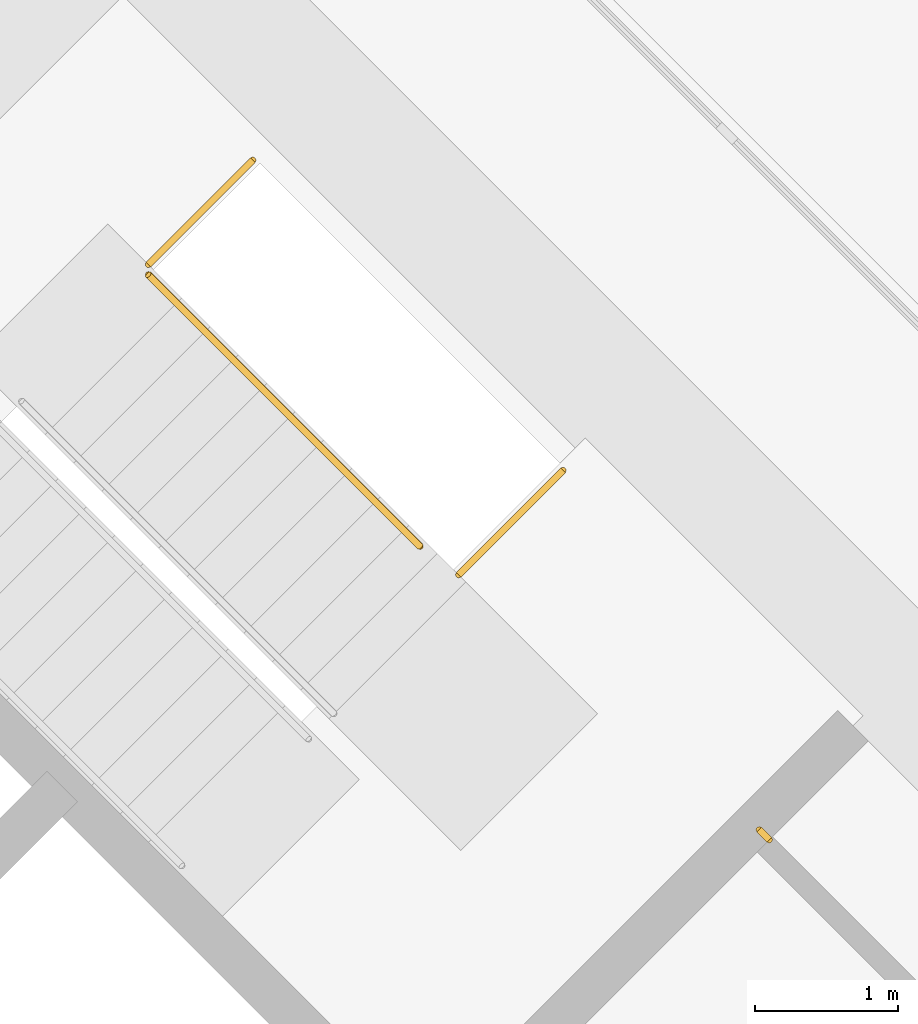
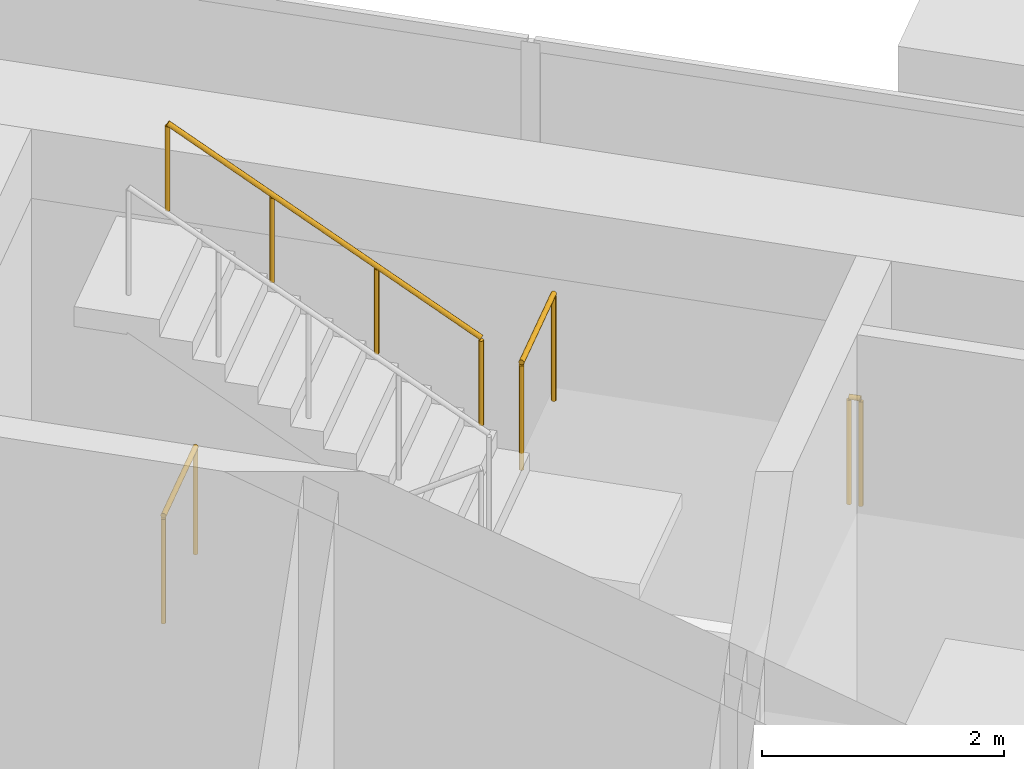
# One storey, part 23 of 24: 4 railings.
"""IFC4 building model written with IfcOpenShell, lengths in metres."""

import ifcopenshell
import ifcopenshell.guid

model = None  # the IFC model being written
_history = None  # IfcOwnerHistory: only IFC2X3 demands one
_inside = {}  # id of a spatial element -> (the spatial element, [elements in it])
_under = {}  # id of a project, library or spatial element -> (it, [spatial elements below it])
_declared = {}  # id of a project -> (the project, [libraries it declares])
_typed = {}  # id of a type object -> (the type object, [elements of that type])
_made_of = {}  # id of a material, layer set ... -> (it, [elements and type objects made of it])


def new_model(schema):
    """Start an empty IFC model of exactly this schema.

    Asked for "IFC4X3", IfcOpenShell would pick the latest addendum, in which some entities
    have other attributes; the version numbers below select the first issue.
    IFC2X3 requires an IfcOwnerHistory on every rooted entity: one is made here for all.
    """
    global model, _history
    if schema == "IFC4X3":
        model = ifcopenshell.file(schema_version=(4, 3, 0, 0))
    else:
        model = ifcopenshell.file(schema=schema)
    _inside.clear()
    _under.clear()
    _declared.clear()
    _typed.clear()
    _made_of.clear()
    _history = None
    if model.schema == "IFC2X3":
        org = make("IfcOrganization", Name="unknown")
        user = make(
            "IfcPersonAndOrganization",
            ThePerson=make("IfcPerson", FamilyName="unknown"),
            TheOrganization=org,
        )
        app = make(
            "IfcApplication",
            ApplicationDeveloper=org,
            Version="unknown",
            ApplicationFullName="unknown",
            ApplicationIdentifier="unknown",
        )
        _history = make(
            "IfcOwnerHistory",
            OwningUser=user,
            OwningApplication=app,
            ChangeAction="ADDED",
            CreationDate=0,
        )
    return model


def make(cls, **values):
    """One entity of the class cls with the attributes given. An attribute that is None is left unset."""
    return model.create_entity(
        cls, **{name: value for name, value in values.items() if value is not None}
    )


def rooted(cls, **values):
    """An entity with a GlobalId (a new one), such as an element, a storey or a relation."""
    return make(cls, GlobalId=ifcopenshell.guid.new(), OwnerHistory=_history, **values)


def si_unit(unit_type, name, prefix=None):
    """IfcSIUnit, for example si_unit("LENGTHUNIT", "METRE", prefix="MILLI")."""
    return make("IfcSIUnit", UnitType=unit_type, Prefix=prefix, Name=name)


def assignment(units):
    """IfcUnitAssignment: the units of a project."""
    return None if units is None else make("IfcUnitAssignment", Units=units)


def point(xyz):
    """IfcCartesianPoint."""
    return None if xyz is None else make("IfcCartesianPoint", Coordinates=xyz)


def direction(xyz):
    """IfcDirection."""
    return None if xyz is None else make("IfcDirection", DirectionRatios=xyz)


def frame(location, z_axis=None, x_axis=None):
    """IfcAxis2Placement3D, a coordinate frame: its origin and axes. An axis left out is left unset."""
    return make(
        "IfcAxis2Placement3D",
        Location=point(location),
        Axis=direction(z_axis),
        RefDirection=direction(x_axis),
    )


def frame_2d(location, x_axis=None):
    """IfcAxis2Placement2D, a coordinate frame in the plane: its origin and x axis."""
    return make(
        "IfcAxis2Placement2D", Location=point(location), RefDirection=direction(x_axis)
    )


def origin():
    """The frame at (0, 0, 0) with its axes left unset."""
    return frame((0.0, 0.0, 0.0))


def origin_2d():
    """The frame at (0, 0) in the plane with its x axis left unset."""
    return frame_2d((0.0, 0.0))


def place(relative_to, where):
    """IfcLocalPlacement: puts the frame where relative to a parent placement (None: the world)."""
    return make(
        "IfcLocalPlacement", PlacementRelTo=relative_to, RelativePlacement=where
    )


def context(
    kind, dimensions, precision=None, world=None, true_north=None, identifier=None
):
    """IfcGeometricRepresentationContext, for example the 3D "Model" context."""
    return make(
        "IfcGeometricRepresentationContext",
        ContextIdentifier=identifier,
        ContextType=kind,
        CoordinateSpaceDimension=dimensions,
        Precision=precision,
        WorldCoordinateSystem=world,
        TrueNorth=true_north,
    )


def subcontext(parent, identifier, kind, view, scale=None):
    """IfcGeometricRepresentationSubContext, for example "Body" below "Model"."""
    return make(
        "IfcGeometricRepresentationSubContext",
        ContextIdentifier=identifier,
        ContextType=kind,
        ParentContext=parent,
        TargetScale=scale,
        TargetView=view,
    )


def project(units=None, contexts=None):
    """IfcProject with its units and contexts."""
    return rooted(
        "IfcProject",
        Name="project",
        RepresentationContexts=contexts,
        UnitsInContext=assignment(units),
    )


def spatial(cls, under=None, at=None, **own):
    """A site, building, storey or space (cls), placed at a placement, below another one or the project."""
    s = rooted(cls, ObjectPlacement=at, **own)
    if under is not None:
        _under.setdefault(under.id(), (under, []))[1].append(s)
    return s


def profile(cls, at=None, kind="AREA", **sizes):
    """A parametric profile (cls). Its sizes go by their IFC names, for example OverallWidth=200.0."""
    return make(cls, ProfileType=kind, Position=at, **sizes)


def circle(**sizes):
    """IfcCircleProfileDef."""
    return profile("IfcCircleProfileDef", **sizes)


def extrude(swept, where, along, depth):
    """IfcExtrudedAreaSolid: the profile swept, set in the frame where, extruded along a direction by depth."""
    return make(
        "IfcExtrudedAreaSolid",
        SweptArea=swept,
        Position=where,
        ExtrudedDirection=direction(along),
        Depth=depth,
    )


def shape(context_of_items, identifier, shape_type, items):
    """IfcShapeRepresentation: the items that make up one representation, for example the "Body"."""
    return make(
        "IfcShapeRepresentation",
        ContextOfItems=context_of_items,
        RepresentationIdentifier=identifier,
        RepresentationType=shape_type,
        Items=items,
    )


def material(Name=None, Category=None):
    """IfcMaterial."""
    return make("IfcMaterial", Name=Name, Category=Category)


def made_of(thing, what):
    """Note that an element or type object is made of a material, layer set ...; save() writes the relation."""
    if what is not None:
        _made_of.setdefault(what.id(), (what, []))[1].append(thing)
    return thing


def type_object(cls, material=None, **own):
    """A type object (cls), such as IfcWallType, which elements share."""
    return made_of(rooted(cls, **own), material)


def element(
    cls,
    number,
    at=None,
    inside=None,
    cuts=None,
    type_object=None,
    material=None,
    context=None,
    identifier="Body",
    shape_type=None,
    held_by="IfcProductDefinitionShape",
    body=None,
    shapes=None,
    **own,
):
    """One element of the class cls, such as IfcWall. Its Tag is "e" and its number.

    at: its placement. inside: the storey or other place that contains it. cuts: it is an
    opening in that element (IfcRelVoidsElement). A single representation is given by context,
    identifier, shape_type and body (its items); several are given by shapes. held_by: the class
    of the entity that holds the representations. save() writes the other relations.
    """
    e = rooted(cls, Tag="e%d" % number, ObjectPlacement=at, **own)
    if body is not None:
        shapes = [shape(context, identifier, shape_type, body)]
    if shapes is not None:
        e.Representation = make(held_by, Representations=shapes)
    if inside is not None:
        _inside.setdefault(inside.id(), (inside, []))[1].append(e)
    if cuts is not None:
        rooted(
            "IfcRelVoidsElement", RelatingBuildingElement=cuts, RelatedOpeningElement=e
        )
    if type_object is not None:
        _typed.setdefault(type_object.id(), (type_object, []))[1].append(e)
    return made_of(e, material)


def aggregate(whole, parts):
    """IfcRelAggregates: a whole, such as a stair, and the parts it consists of."""
    return rooted("IfcRelAggregates", RelatingObject=whole, RelatedObjects=parts)


def save(model, path):
    """Write the relations noted so far, then the file.

    IfcRelAggregates (storeys below a building ...), IfcRelContainedInSpatialStructure (elements
    in a storey), IfcRelDefinesByType, IfcRelAssociatesMaterial and IfcRelDeclares: one each for
    every whole, place, type object, material and project.
    """
    for whole, parts in _under.values():
        aggregate(whole, parts)
    for where, things in _inside.values():
        rooted(
            "IfcRelContainedInSpatialStructure",
            RelatedElements=things,
            RelatingStructure=where,
        )
    for kind, things in _typed.values():
        rooted("IfcRelDefinesByType", RelatedObjects=things, RelatingType=kind)
    for what, things in _made_of.values():
        rooted("IfcRelAssociatesMaterial", RelatedObjects=things, RelatingMaterial=what)
    for by, libraries in _declared.values():
        rooted("IfcRelDeclares", RelatingContext=by, RelatedDefinitions=libraries)
    model.write(path)


model = new_model("IFC4")

# Units and contexts
model_context = context("Model", 3, precision=1e-05, world=origin(), true_north=direction((0.0, 1.0)))
body_context = subcontext(model_context, "Body", "Model", "MODEL_VIEW")
ifc_project = project(units=[si_unit("LENGTHUNIT", "METRE"), si_unit("AREAUNIT", "SQUARE_METRE"), si_unit("VOLUMEUNIT", "CUBIC_METRE"), si_unit("PLANEANGLEUNIT", "RADIAN"), si_unit("MASSUNIT", "GRAM", prefix="KILO")], contexts=[model_context])

# Site, building, storey
site_placement = place(None, origin())
site = spatial("IfcSite", under=ifc_project, at=site_placement, CompositionType="ELEMENT")
building_placement = place(site_placement, origin())
building = spatial("IfcBuilding", under=site, at=building_placement, Name="Windrow Commons", CompositionType="ELEMENT")
storey_placement = place(building_placement, frame((0.0, 0.0, 77.0)))
storey = spatial("IfcBuildingStorey", under=building, at=storey_placement, Name="L20", CompositionType="ELEMENT", Elevation=77.0)

# Railings
ifc_material_1 = material(Name="Steel S355", Category="steel")
railing_type_1 = type_object("IfcRailingType", Name="Core stair guard 1100", PredefinedType="GUARDRAIL", material=ifc_material_1)
railing_1_placement = place(storey_placement, frame((87.0135, 57.3982, 0.0)))
element("IfcRailing", 1, at=railing_1_placement, inside=storey, type_object=railing_type_1, Name="L20 ST-B1 stair guard 3", PredefinedType="GUARDRAIL", context=body_context, shape_type="SweptSolid", body=[
    extrude(circle(Radius=0.024, at=origin_2d()), frame((0.0, 0.0, 1.076), z_axis=(0.7070582378, 0.7071553212, 0.0), x_axis=(-0.7071553212, 0.7070582378, 0.0)), (0.0, 0.0, 1.0), 1.03),
    extrude(circle(Radius=0.021, at=origin_2d()), origin(), (0.0, 0.0, 1.0), 1.052),
    extrude(circle(Radius=0.021, at=origin_2d()), frame((0.7283, 0.7284, 0.0)), (0.0, 0.0, 1.0), 1.052),
])
railing_2_placement = place(storey_placement, frame((89.1773, 55.2345, 2.1)))
element("IfcRailing", 2, at=railing_2_placement, inside=storey, type_object=railing_type_1, Name="L20 ST-B1 stair guard 4", PredefinedType="GUARDRAIL", context=body_context, shape_type="SweptSolid", body=[
    extrude(circle(Radius=0.024, at=origin_2d()), frame((0.0, 0.0, 1.076), z_axis=(0.7071067812, 0.7071067812, 0.0), x_axis=(-0.7071067812, 0.7071067812, 0.0)), (0.0, 0.0, 1.0), 1.03),
    extrude(circle(Radius=0.021, at=origin_2d()), origin(), (0.0, 0.0, 1.0), 1.052),
    extrude(circle(Radius=0.021, at=origin_2d()), frame((0.7283, 0.7283, 0.0)), (0.0, 0.0, 1.0), 1.052),
])
railing_3_placement = place(storey_placement, frame((91.3446, 53.3854, 2.1)))
element("IfcRailing", 3, at=railing_3_placement, inside=storey, type_object=railing_type_1, Name="L20 ST-B2 stair guard 3", PredefinedType="GUARDRAIL", context=body_context, shape_type="SweptSolid", body=[
    extrude(circle(Radius=0.024, at=origin_2d()), frame((0.0, 0.0, 1.076), z_axis=(-0.7076063266, 0.7066068826, 0.0), x_axis=(-0.7066068826, -0.7076063266, 0.0)), (0.0, 0.0, 1.0), 0.1001),
    extrude(circle(Radius=0.021, at=origin_2d()), origin(), (0.0, 0.0, 1.0), 1.052),
    extrude(circle(Radius=0.021, at=origin_2d()), frame((-0.0708, 0.0707, 0.0)), (0.0, 0.0, 1.0), 1.052),
])
ifc_material_2 = material(Name="Steel S355", Category="steel")
railing_type_2 = type_object("IfcRailingType", Name="Core stair handrail 900", PredefinedType="HANDRAIL", material=ifc_material_2)
railing_4_placement = place(storey_placement, frame((88.9086, 55.4325, 2.525)))
element("IfcRailing", 4, at=railing_4_placement, inside=storey, type_object=railing_type_2, Name="L20 ST-B1 stair handrail 2", PredefinedType="HANDRAIL", context=body_context, shape_type="SweptSolid", body=[
    extrude(circle(Radius=0.024, at=origin_2d()), frame((0.0, 0.0, 0.876), z_axis=(-0.599641512, 0.5996098703, 0.5299981703), x_axis=(-0.7070881243, -0.7071254376, 0.0)), (0.0, 0.0, 1.0), 3.1604),
    extrude(circle(Radius=0.021, at=origin_2d()), origin(), (0.0, 0.0, 1.0), 0.852),
    extrude(circle(Radius=0.021, at=origin_2d()), frame((-0.6317, 0.6317, 0.5583)), (0.0, 0.0, 1.0), 0.852),
    extrude(circle(Radius=0.021, at=origin_2d()), frame((-1.2634, 1.2633, 1.1167)), (0.0, 0.0, 1.0), 0.852),
    extrude(circle(Radius=0.021, at=origin_2d()), frame((-1.8951, 1.895, 1.675)), (0.0, 0.0, 1.0), 0.852),
])

save(model, "model.ifc")
